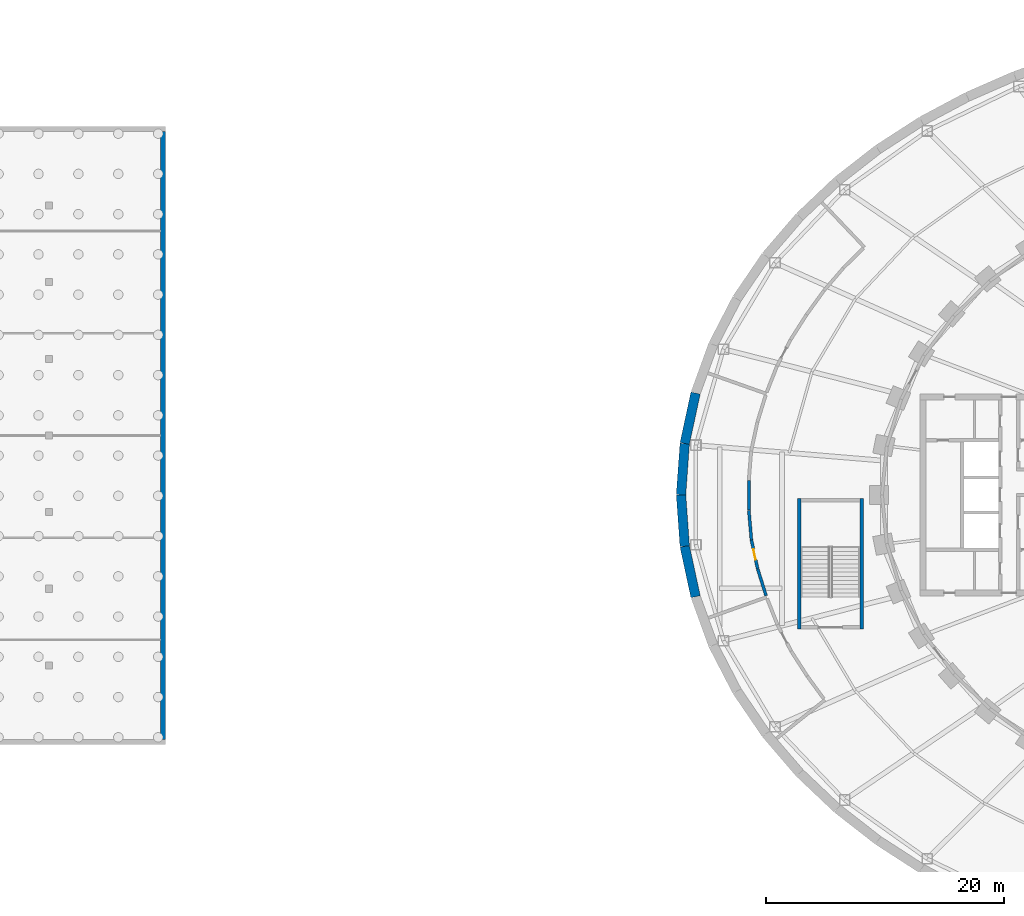
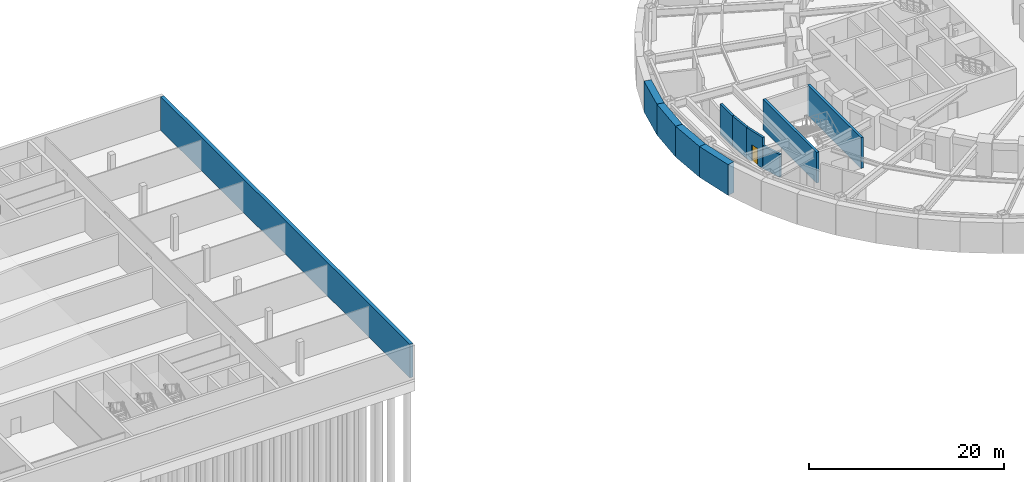
# One storey, part 14 of 32: 11 walls, 1 door, 1 opening.
"""IFC4 building model written with IfcOpenShell, lengths in metres."""

from ifc_helpers import new_model, si_unit, direction, frame, frame_2d, origin, place, context, subcontext, project, spatial, rectangle, extrude, material, layer, layer_set, type_object, element, fill, save


model = new_model("IFC4")

# Units and contexts
model_context = context("Model", 3, precision=1e-05, world=origin(), true_north=direction((0.0, 1.0)))
body_context = subcontext(model_context, "Body", "Model", "MODEL_VIEW")
ifc_project = project(units=[si_unit("LENGTHUNIT", "METRE"), si_unit("AREAUNIT", "SQUARE_METRE"), si_unit("VOLUMEUNIT", "CUBIC_METRE"), si_unit("PLANEANGLEUNIT", "RADIAN"), si_unit("MASSUNIT", "GRAM", prefix="KILO")], contexts=[model_context])

# Site, building, storey
site_placement = place(None, origin())
site = spatial("IfcSite", under=ifc_project, at=site_placement, CompositionType="ELEMENT")
building_placement = place(site_placement, origin())
building = spatial("IfcBuilding", under=site, at=building_placement, Name="Noorbagh Ring Tower", CompositionType="ELEMENT")
storey_placement = place(building_placement, frame((0.0, 0.0, -4.199951171875)))
storey = spatial("IfcBuildingStorey", under=building, at=storey_placement, Name="B1", CompositionType="ELEMENT", Elevation=-4.199951171875)

# Walls
ifc_material_1 = material(Name="Concrete C60/75", Category="concrete")
ifc_layer_1 = layer(ifc_material_1, 0.300048828125)
ifc_layer_set_1 = layer_set([ifc_layer_1], Name="Concrete C60/75")
wall_type_1 = type_object("IfcWallType", Name="GND-STAIR-WALL", PredefinedType="SHEAR", material=ifc_layer_set_1)
for number, where, z_axis, x_axis, name in (
    (1, (-41.64990234375, -11.300048828125, 0.0), (0.0, 0.0, 1.0), (0.0, 1.0, 0.0), "Exit stair ST-P1 wall"),
    (2, (-36.39990234375, -11.300048828125, 0.0), (0.0, 0.0, 1.0), (0.0, 1.0, 0.0), "Exit stair ST-P1 wall"),
):
    element("IfcWall", number, at=place(storey_placement, frame(where, z_axis=z_axis, x_axis=x_axis)), inside=storey, type_object=wall_type_1, Name=name, PredefinedType="SHEAR", context=body_context, shape_type="SweptSolid", body=[
        extrude(rectangle(XDim=11.0, YDim=0.300048828125, at=frame_2d((5.5, 0.0))), origin(), (0.0, 0.0, 1.0), 3.849853515625),
    ])
ifc_material_2 = material(Name="Concrete C40/50", Category="concrete")
ifc_layer_2 = layer(ifc_material_2, 0.25)
ifc_layer_set_2 = layer_set([ifc_layer_2], Name="Concrete C40/50")
wall_type_2 = type_object("IfcWallType", Name="GND-WALL-250", PredefinedType="SOLIDWALL", material=ifc_layer_set_2)
wall_1_placement = place(storey_placement, frame((-45.89892578125, 1.192138671875, 0.0), z_axis=(0.0, 0.0, 1.0), x_axis=(0.002756709029, -0.99999620027, 0.0)))
element("IfcWall", 3, at=wall_1_placement, inside=storey, type_object=wall_type_2, Name="Generator hall", PredefinedType="SOLIDWALL", context=body_context, shape_type="SweptSolid", body=[
    extrude(rectangle(XDim=2.479736328125, YDim=0.25, at=frame_2d((1.23974609375, 0.0))), origin(), (0.0, 0.0, 1.0), 3.849853515625),
])
wall_2_placement = place(storey_placement, frame((-45.8916015625, -1.301513671875, 0.0), z_axis=(0.0, 0.0, 1.0), x_axis=(0.085615813361, -0.996328225287, 0.0)))
element("IfcWall", 4, at=wall_2_placement, inside=storey, type_object=wall_type_2, Name="Generator hall", PredefinedType="SOLIDWALL", context=body_context, shape_type="SweptSolid", body=[
    extrude(rectangle(XDim=2.483642578125, YDim=0.25, at=frame_2d((1.24169921875, 0.0))), origin(), (0.0, 0.0, 1.0), 3.849853515625),
])

# Wall, opening, door
wall_3_placement = place(storey_placement, frame((-45.677001953125, -3.7900390625, 0.0), z_axis=(0.0, 0.0, 1.0), x_axis=(0.210655704331, -0.97756031744, 0.0)))
wall_3 = element("IfcWall", 5, at=wall_3_placement, inside=storey, type_object=wall_type_2, Name="Generator hall", PredefinedType="SOLIDWALL", context=body_context, shape_type="SweptSolid", body=[
    extrude(rectangle(XDim=2.48583984375, YDim=0.25, at=frame_2d((1.242919921875, 0.0))), origin(), (0.0, 0.0, 1.0), 3.849853515625),
])
opening_placement = place(wall_3_placement, frame((0.79296875, 0.0, 0.0)))
opening = element("IfcOpeningElement", 6, at=opening_placement, cuts=wall_3, Name="Opening GD2", PredefinedType="OPENING", context=body_context, shape_type="SweptSolid", body=[
    extrude(rectangle(XDim=0.89990234375, YDim=2.10009765625, at=frame_2d((0.449951171875, 1.050048828125))), frame((0.0, 0.135009765625, 0.0), z_axis=(0.0, -1.0, 0.0), x_axis=(1.0, 0.0, 0.0)), (0.0, 0.0, 1.0), 0.27001953125),
])
ifc_material_3 = material(Name="Steel", Category="steel")
door_type = type_object("IfcDoorType", Name="GND-DOOR-SVC120", OperationType="SINGLE_SWING_LEFT", PredefinedType="DOOR", material=ifc_material_3)
door_placement = place(opening_placement, origin())
door = element("IfcDoor", 7, at=door_placement, inside=storey, type_object=door_type, Name="Generator hall door", OperationType="SINGLE_SWING_LEFT", OverallHeight=2.10009765625, OverallWidth=0.89990234375, PredefinedType="DOOR", context=body_context, shape_type="SweptSolid", body=[
    extrude(rectangle(XDim=0.89990234375, YDim=2.10009765625, at=frame_2d((0.449951171875, 1.050048828125))), frame((0.0, 0.02490234375, 0.0), z_axis=(0.0, -1.0, 0.0), x_axis=(1.0, 0.0, 0.0)), (0.0, 0.0, 1.0), 0.050048828125),
])
fill(opening, door)

# Walls
wall_4_placement = place(storey_placement, frame((-45.14990234375, -6.233642578125, 0.0), z_axis=(0.0, 0.0, 1.0), x_axis=(0.299815850887, -0.953997094103, 0.0)))
element("IfcWall", 8, at=wall_4_placement, inside=storey, type_object=wall_type_2, Name="Generator hall", PredefinedType="SOLIDWALL", context=body_context, shape_type="SweptSolid", body=[
    extrude(rectangle(XDim=2.363037109375, YDim=0.25, at=frame_2d((1.181640625, 0.0))), origin(), (0.0, 0.0, 1.0), 2.849853515625),
])
ifc_material_4 = material(Name="Concrete C40/50", Category="concrete")
ifc_layer_3 = layer(ifc_material_4, 0.800048828125)
ifc_layer_set_3 = layer_set([ifc_layer_3], Name="Concrete C40/50")
wall_type_3 = type_object("IfcWallType", Name="STR-RETAINING-WALL", PredefinedType="SOLIDWALL", material=ifc_layer_set_3)
wall_5_placement = place(storey_placement, frame((-50.3759765625, 8.56787109375, 0.0), z_axis=(0.0, 0.0, 1.0), x_axis=(-0.210616468766, -0.977568771537, 0.0)))
element("IfcWall", 9, at=wall_5_placement, inside=storey, type_object=wall_type_3, Name="B1/retwall/32", PredefinedType="SOLIDWALL", context=body_context, shape_type="SweptSolid", body=[
    extrude(rectangle(XDim=4.3388671875, YDim=0.800048828125, at=frame_2d((2.16943359375, 0.0))), origin(), (0.0, 0.0, 1.0), 3.849853515625),
])
for number, where, z_axis, x_axis, name in (
    (10, (-51.289794921875, 4.326416015625, 0.0), (0.0, 0.0, 1.0), (-0.071315050824, -0.997453840298, 0.0), "B1/retwall/33"),
    (11, (-51.59912109375, 0.0, 0.0), (0.0, 0.0, 1.0), (0.071315050824, -0.997453840298, 0.0), "B1/retwall/34"),
):
    element("IfcWall", number, at=place(storey_placement, frame(where, z_axis=z_axis, x_axis=x_axis)), inside=storey, type_object=wall_type_3, Name=name, PredefinedType="SOLIDWALL", context=body_context, shape_type="SweptSolid", body=[
        extrude(rectangle(XDim=4.33740234375, YDim=0.800048828125, at=frame_2d((2.168701171875, 0.0))), origin(), (0.0, 0.0, 1.0), 3.849853515625),
    ])
wall_6_placement = place(storey_placement, frame((-51.289794921875, -4.326416015625, 0.0), z_axis=(0.0, 0.0, 1.0), x_axis=(0.210616468766, -0.977568771537, 0.0)))
element("IfcWall", 12, at=wall_6_placement, inside=storey, type_object=wall_type_3, Name="B1/retwall/35", PredefinedType="SOLIDWALL", context=body_context, shape_type="SweptSolid", body=[
    extrude(rectangle(XDim=4.3388671875, YDim=0.800048828125, at=frame_2d((2.16943359375, 0.0))), origin(), (0.0, 0.0, 1.0), 3.849853515625),
])
ifc_material_5 = material(Name="Concrete C40/50", Category="concrete")
ifc_layer_4 = layer(ifc_material_5, 0.39990234375)
ifc_layer_set_4 = layer_set([ifc_layer_4], Name="Concrete C40/50")
wall_type_4 = type_object("IfcWallType", Name="TH-WALL-OUTER", PredefinedType="SOLIDWALL", material=ifc_layer_set_4)
wall_7_placement = place(storey_placement, frame((-95.199951171875, -20.60009765625, 0.0), z_axis=(0.0, 0.0, 1.0), x_axis=(0.0, 1.0, 0.0)))
element("IfcWall", 13, at=wall_7_placement, inside=storey, type_object=wall_type_4, Name="Outer wall east", PredefinedType="SOLIDWALL", context=body_context, shape_type="SweptSolid", body=[
    extrude(rectangle(XDim=51.2001953125, YDim=0.39990234375, at=frame_2d((25.60009765625, 0.0))), origin(), (0.0, 0.0, 1.0), 4.199951171875),
])

save(model, "model.ifc")
